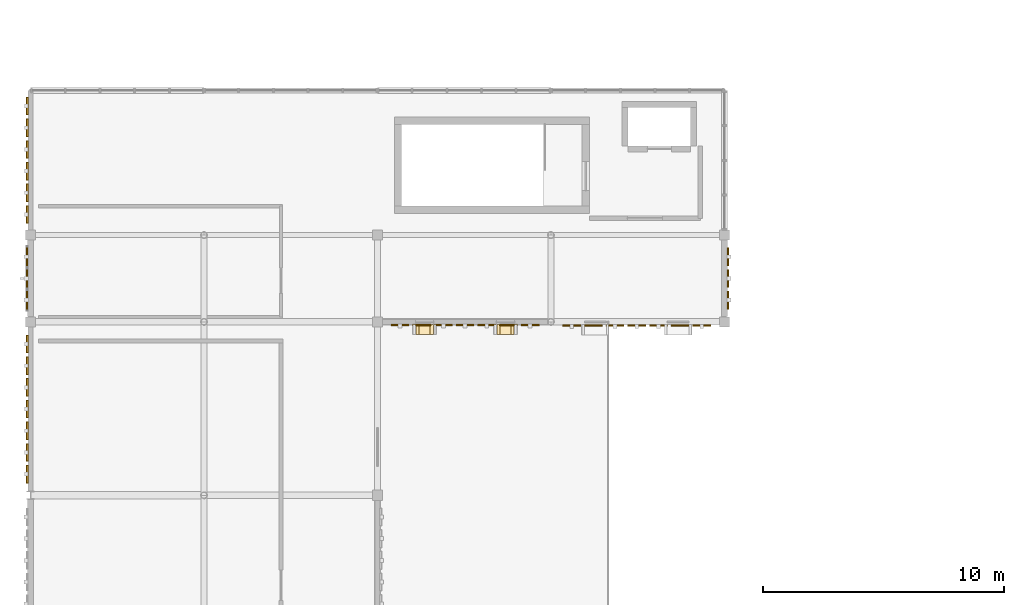
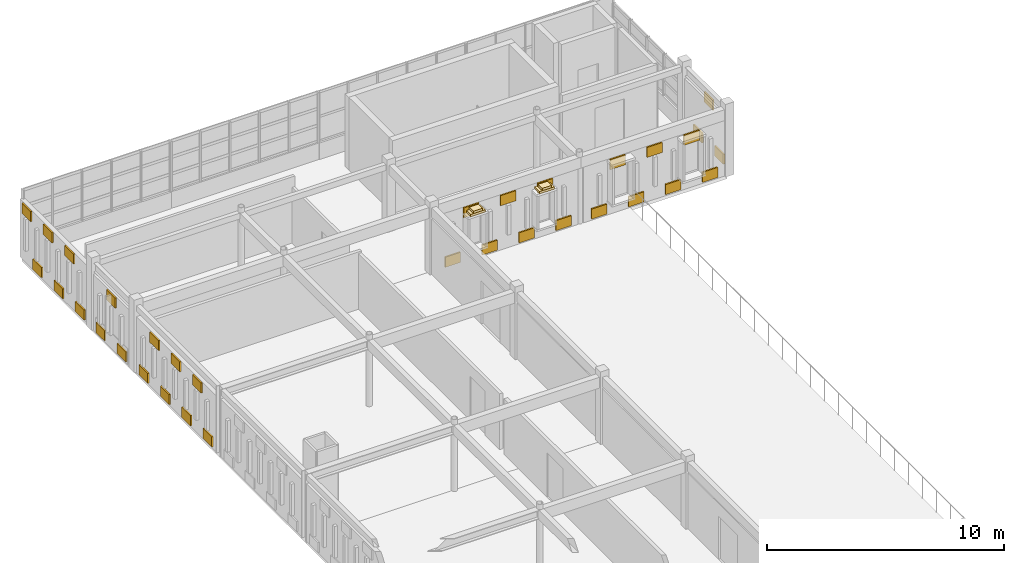
# One storey, part 45 of 46: 37 coverings.
"""IFC4 building model written with IfcOpenShell, lengths in metres."""

from ifc_helpers import new_model, si_unit, direction, frame, origin, origin_2d, place, context, subcontext, project, spatial, rectangle, extrude, material, layer, layer_set, type_object, element, save


model = new_model("IFC4")

# Units and contexts
model_context = context("Model", 3, precision=1e-05, world=origin(), true_north=direction((0.0, 1.0)))
body_context = subcontext(model_context, "Body", "Model", "MODEL_VIEW")
ifc_project = project(units=[si_unit("LENGTHUNIT", "METRE"), si_unit("AREAUNIT", "SQUARE_METRE"), si_unit("VOLUMEUNIT", "CUBIC_METRE"), si_unit("PLANEANGLEUNIT", "RADIAN"), si_unit("MASSUNIT", "GRAM", prefix="KILO")], contexts=[model_context])

# Site, building, storey
site_placement = place(None, origin())
site = spatial("IfcSite", under=ifc_project, at=site_placement, CompositionType="ELEMENT")
building_placement = place(site_placement, origin())
building = spatial("IfcBuilding", under=site, at=building_placement, Name="Nzembalo Square Collegiate School", CompositionType="ELEMENT")
storey_placement = place(building_placement, frame((0.0, 0.0, 17.340087890625)))
storey = spatial("IfcBuildingStorey", under=building, at=storey_placement, Name="L04", CompositionType="ELEMENT", Elevation=17.340087890625)

# Coverings
ifc_material_1 = material(Name="Glazed cobalt ceramic patterned tile")
ifc_layer_1 = layer(ifc_material_1, 0.074951171875, Name="Glazed cobalt ceramic patterned tile")
ifc_layer_set_1 = layer_set([ifc_layer_1], Name="Glazed cobalt ceramic patterned tile")
covering_type_1 = type_object("IfcCoveringType", Name="CL01", PredefinedType="CLADDING", material=ifc_layer_set_1)
for number, where, z_axis, x_axis, name in (
    (1, (8.264892578125, 72.8798828125, 0.099853515625), (0.0, 0.0, 1.0), (1.0, 0.0, 0.0), "Patterned ceramic tile CL01-Y0271-0-0"),
    (2, (8.264892578125, 73.780029296875, 2.328857421875), (0.0, 0.0, 1.0), (1.0, 0.0, 0.0), "Patterned ceramic tile CL01-Y0271-1-1"),
    (3, (8.264892578125, 74.679931640625, 0.099853515625), (0.0, 0.0, 1.0), (1.0, 0.0, 0.0), "Patterned ceramic tile CL01-Y0271-2-0"),
    (4, (8.264892578125, 75.580078125, 2.328857421875), (0.0, 0.0, 1.0), (1.0, 0.0, 0.0), "Patterned ceramic tile CL01-Y0271-3-1"),
    (5, (8.264892578125, 76.47998046875, 0.099853515625), (0.0, 0.0, 1.0), (1.0, 0.0, 0.0), "Patterned ceramic tile CL01-Y0271-4-0"),
    (6, (8.264892578125, 77.3798828125, 2.328857421875), (0.0, 0.0, 1.0), (1.0, 0.0, 0.0), "Patterned ceramic tile CL01-Y0271-5-1"),
    (7, (8.264892578125, 78.280029296875, 0.099853515625), (0.0, 0.0, 1.0), (1.0, 0.0, 0.0), "Patterned ceramic tile CL01-Y0271-6-0"),
    (8, (8.25, 80.10009765625, 0.099853515625), (0.0, 0.0, 1.0), (1.0, 0.0, 0.0), "Patterned ceramic tile CL01-Y0272-0-0"),
    (9, (8.25, 81.0, 2.328857421875), (0.0, 0.0, 1.0), (1.0, 0.0, 0.0), "Patterned ceramic tile CL01-Y0272-1-1"),
    (10, (8.25, 81.89990234375, 0.099853515625), (0.0, 0.0, 1.0), (1.0, 0.0, 0.0), "Patterned ceramic tile CL01-Y0272-2-0"),
    (11, (8.264892578125, 83.656005859375, 0.099853515625), (0.0, 0.0, 1.0), (1.0, 0.0, 0.0), "Patterned ceramic tile CL01-Y0273-0-0"),
    (12, (8.264892578125, 84.555908203125, 2.43896484375), (0.0, 0.0, 1.0), (1.0, 0.0, 0.0), "Patterned ceramic tile CL01-Y0273-1-1"),
    (13, (8.264892578125, 85.4560546875, 0.099853515625), (0.0, 0.0, 1.0), (1.0, 0.0, 0.0), "Patterned ceramic tile CL01-Y0273-2-0"),
    (14, (8.264892578125, 86.35595703125, 2.43896484375), (0.0, 0.0, 1.0), (1.0, 0.0, 0.0), "Patterned ceramic tile CL01-Y0273-3-1"),
    (15, (8.264892578125, 87.256103515625, 0.099853515625), (0.0, 0.0, 1.0), (1.0, 0.0, 0.0), "Patterned ceramic tile CL01-Y0273-4-0"),
    (16, (8.264892578125, 88.156005859375, 2.43896484375), (0.0, 0.0, 1.0), (1.0, 0.0, 0.0), "Patterned ceramic tile CL01-Y0273-5-1"),
    (17, (37.35009765625, 80.10009765625, 0.099853515625), (0.0, 0.0, 1.0), (1.0, 0.0, 0.0), "Patterned ceramic tile CL01-Y0274-0-0"),
    (18, (37.35009765625, 81.0, 2.328857421875), (0.0, 0.0, 1.0), (1.0, 0.0, 0.0), "Patterned ceramic tile CL01-Y0274-1-1"),
    (19, (37.35009765625, 81.89990234375, 0.099853515625), (0.0, 0.0, 1.0), (1.0, 0.0, 0.0), "Patterned ceramic tile CL01-Y0274-2-0"),
):
    element("IfcCovering", number, at=place(storey_placement, frame(where, z_axis=z_axis, x_axis=x_axis)), inside=storey, type_object=covering_type_1, Name=name, PredefinedType="CLADDING", context=body_context, shape_type="SweptSolid", body=[
        extrude(rectangle(XDim=0.074951171875, YDim=0.739990234375, at=origin_2d()), origin(), (0.0, 0.0, 1.0), 0.52001953125),
    ])
for number, where, z_axis, x_axis, name in (
    (20, (23.73681640625, 79.06494140625, 0.099853515625), (0.0, 0.0, 1.0), (1.0, 0.0, 0.0), "Patterned ceramic tile CL01-X0275-0-0"),
    (21, (24.63671875, 79.06494140625, 2.328857421875), (0.0, 0.0, 1.0), (1.0, 0.0, 0.0), "Patterned ceramic tile CL01-X0275-1-1"),
    (22, (25.536865234375, 79.06494140625, 0.099853515625), (0.0, 0.0, 1.0), (1.0, 0.0, 0.0), "Patterned ceramic tile CL01-X0275-2-0"),
    (23, (26.436767578125, 79.06494140625, 2.328857421875), (0.0, 0.0, 1.0), (1.0, 0.0, 0.0), "Patterned ceramic tile CL01-X0275-3-1"),
    (24, (27.3369140625, 79.06494140625, 0.099853515625), (0.0, 0.0, 1.0), (1.0, 0.0, 0.0), "Patterned ceramic tile CL01-X0275-4-0"),
    (25, (28.23681640625, 79.06494140625, 2.328857421875), (0.0, 0.0, 1.0), (1.0, 0.0, 0.0), "Patterned ceramic tile CL01-X0275-5-1"),
    (26, (29.13671875, 79.06494140625, 0.099853515625), (0.0, 0.0, 1.0), (1.0, 0.0, 0.0), "Patterned ceramic tile CL01-X0275-6-0"),
    (27, (30.86328125, 79.050048828125, 0.099853515625), (0.0, 0.0, 1.0), (1.0, 0.0, 0.0), "Patterned ceramic tile CL01-X0276-0-0"),
    (28, (31.76318359375, 79.050048828125, 2.328857421875), (0.0, 0.0, 1.0), (1.0, 0.0, 0.0), "Patterned ceramic tile CL01-X0276-1-1"),
    (29, (32.6630859375, 79.050048828125, 0.099853515625), (0.0, 0.0, 1.0), (1.0, 0.0, 0.0), "Patterned ceramic tile CL01-X0276-2-0"),
    (30, (33.563232421875, 79.050048828125, 2.328857421875), (0.0, 0.0, 1.0), (1.0, 0.0, 0.0), "Patterned ceramic tile CL01-X0276-3-1"),
    (31, (34.46337890625, 79.050048828125, 0.099853515625), (0.0, 0.0, 1.0), (1.0, 0.0, 0.0), "Patterned ceramic tile CL01-X0276-4-0"),
    (32, (35.36328125, 79.050048828125, 2.328857421875), (0.0, 0.0, 1.0), (1.0, 0.0, 0.0), "Patterned ceramic tile CL01-X0276-5-1"),
    (33, (36.26318359375, 79.050048828125, 0.099853515625), (0.0, 0.0, 1.0), (1.0, 0.0, 0.0), "Patterned ceramic tile CL01-X0276-6-0"),
):
    element("IfcCovering", number, at=place(storey_placement, frame(where, z_axis=z_axis, x_axis=x_axis)), inside=storey, type_object=covering_type_1, Name=name, PredefinedType="CLADDING", context=body_context, shape_type="SweptSolid", body=[
        extrude(rectangle(XDim=0.739990234375, YDim=0.074951171875, at=origin_2d()), origin(), (0.0, 0.0, 1.0), 0.52001953125),
    ])
ifc_material_2 = material(Name="Glazed celadon ceramic window frame")
ifc_layer_2 = layer(ifc_material_2, 0.419921875, Name="Glazed celadon ceramic window frame")
ifc_layer_set_2 = layer_set([ifc_layer_2], Name="Glazed celadon ceramic window frame")
covering_type_2 = type_object("IfcCoveringType", Name="WF01", PredefinedType="CLADDING", material=ifc_layer_set_2)
covering_1_placement = place(storey_placement, frame((24.7568359375, 78.887451171875, 2.559814453125), z_axis=(0.0, 0.0, 1.0), x_axis=(1.0, 0.0, 0.0)))
element("IfcCovering", 34, at=covering_1_placement, inside=storey, type_object=covering_type_2, Name="Pointed lancet gable WF01-1039-1", PredefinedType="CLADDING", context=body_context, shape_type="SweptSolid", body=[
    extrude(rectangle(XDim=0.721923828125, YDim=0.419921875, at=origin_2d()), origin(), (0.0, 0.0, 1.0), 0.1201171875),
])
covering_2_placement = place(storey_placement, frame((24.7568359375, 78.887451171875, 2.679931640625), z_axis=(0.0, 0.0, 1.0), x_axis=(1.0, 0.0, 0.0)))
element("IfcCovering", 35, at=covering_2_placement, inside=storey, type_object=covering_type_2, Name="Pointed lancet gable WF01-1039-2", PredefinedType="CLADDING", context=body_context, shape_type="SweptSolid", body=[
    extrude(rectangle(XDim=0.4560546875, YDim=0.419921875, at=origin_2d()), origin(), (0.0, 0.0, 1.0), 0.1201171875),
])
covering_3_placement = place(storey_placement, frame((28.11669921875, 78.887451171875, 2.559814453125), z_axis=(0.0, 0.0, 1.0), x_axis=(1.0, 0.0, 0.0)))
element("IfcCovering", 36, at=covering_3_placement, inside=storey, type_object=covering_type_2, Name="Pointed lancet gable WF01-1040-1", PredefinedType="CLADDING", context=body_context, shape_type="SweptSolid", body=[
    extrude(rectangle(XDim=0.721923828125, YDim=0.419921875, at=origin_2d()), origin(), (0.0, 0.0, 1.0), 0.1201171875),
])
covering_4_placement = place(storey_placement, frame((28.11669921875, 78.887451171875, 2.679931640625), z_axis=(0.0, 0.0, 1.0), x_axis=(1.0, 0.0, 0.0)))
element("IfcCovering", 37, at=covering_4_placement, inside=storey, type_object=covering_type_2, Name="Pointed lancet gable WF01-1040-2", PredefinedType="CLADDING", context=body_context, shape_type="SweptSolid", body=[
    extrude(rectangle(XDim=0.4560546875, YDim=0.419921875, at=origin_2d()), origin(), (0.0, 0.0, 1.0), 0.1201171875),
])

save(model, "model.ifc")
